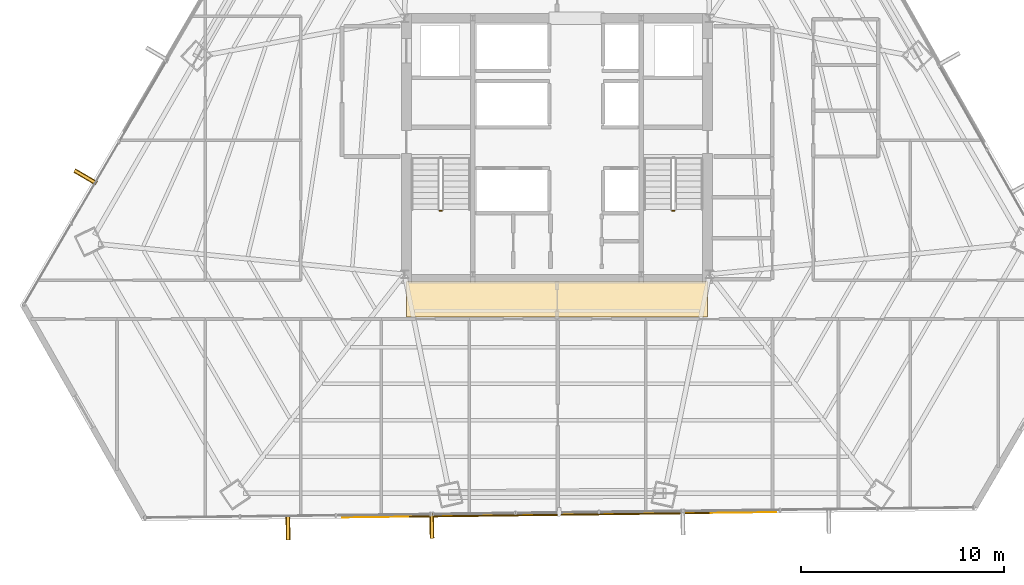
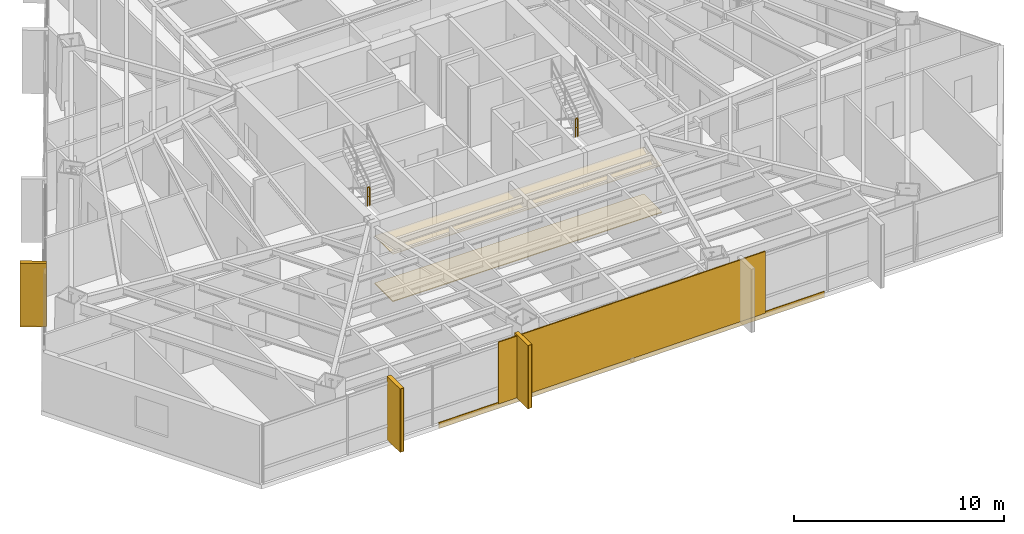
# One storey, part 35 of 37: 6 coverings, 4 shading devices, 2 railings.
"""IFC4 building model written with IfcOpenShell, lengths in metres."""

from ifc_helpers import new_model, si_unit, direction, frame, origin, origin_2d, place, context, subcontext, project, spatial, polyline, rectangle, outline, extrude, source, transform, mapped, material, layer, layer_set, type_object, type_shapes, element, save


model = new_model("IFC4")

# Units and contexts
model_context = context("Model", 3, precision=1e-05, world=origin(), true_north=direction((0.0, 1.0)))
body_context = subcontext(model_context, "Body", "Model", "MODEL_VIEW")
ifc_project = project(units=[si_unit("LENGTHUNIT", "METRE"), si_unit("AREAUNIT", "SQUARE_METRE"), si_unit("VOLUMEUNIT", "CUBIC_METRE"), si_unit("PLANEANGLEUNIT", "RADIAN"), si_unit("MASSUNIT", "GRAM", prefix="KILO")], contexts=[model_context])

# Site, building, storey
site_placement = place(None, origin())
site = spatial("IfcSite", under=ifc_project, at=site_placement, CompositionType="ELEMENT")
building_placement = place(site_placement, origin())
building = spatial("IfcBuilding", under=site, at=building_placement, Name="Caelisora Broadcast Tower", CompositionType="ELEMENT")
storey_placement = place(building_placement, frame((0.0, 0.0, 116.35009765625)))
storey = spatial("IfcBuildingStorey", under=building, at=storey_placement, Name="L30", CompositionType="ELEMENT", Elevation=116.35009765625)

# Coverings
ifc_material_1 = material(Name="Perforated Mineral-Fibre Acoustic Ceiling Tile", Category="gypsum")
ifc_layer_1 = layer(ifc_material_1, 0.034912109375, Name="Perforated Mineral-Fibre Acoustic Ceiling Tile")
ifc_layer_set_1 = layer_set([ifc_layer_1], Name="Perforated Mineral-Fibre Acoustic Ceiling Tile")
covering_type_1 = type_object("IfcCoveringType", Name="CE-1", PredefinedType="CEILING", material=ifc_layer_set_1)
covering_1_placement = place(storey_placement, frame((0.0, 0.0, 2.75)))
element("IfcCovering", 1, at=covering_1_placement, inside=storey, type_object=covering_type_1, Name="L30 acoustic corridor ceiling CE-1 (S)", PredefinedType="CEILING", context=body_context, shape_type="SweptSolid", body=[
    extrude(outline(polyline([(30.60009765625, 15.300048828125), (45.39990234375, 15.300048828125), (45.39990234375, 17.050048828125), (30.60009765625, 17.050048828125), (30.60009765625, 15.300048828125)])), origin(), (0.0, 0.0, 1.0), 0.034912109375),
])
ifc_material_2 = material(Name="Anti-Static Broadcast Raised Access Floor Panel", Category="steel")
ifc_layer_2 = layer(ifc_material_2, 0.044921875, Name="Anti-Static Broadcast Raised Access Floor Panel")
ifc_layer_set_2 = layer_set([ifc_layer_2], Name="Anti-Static Broadcast Raised Access Floor Panel")
covering_type_2 = type_object("IfcCoveringType", Name="FL-1", PredefinedType="FLOORING", material=ifc_layer_set_2)
covering_2_placement = place(storey_placement, origin())
element("IfcCovering", 2, at=covering_2_placement, inside=storey, type_object=covering_type_2, Name="L30 broadcast raised access floor FL-1 (S)", PredefinedType="FLOORING", context=body_context, shape_type="SweptSolid", body=[
    extrude(outline(polyline([(30.60009765625, 15.300048828125), (45.39990234375, 15.300048828125), (45.39990234375, 17.050048828125), (30.60009765625, 17.050048828125), (30.60009765625, 15.300048828125)])), origin(), (0.0, 0.0, 1.0), 0.044921875),
])

# Railings
ifc_material_3 = material(Name="Galvanised Steel Safety Guardrail", Category="steel")
ifc_layer_3 = layer(ifc_material_3, 0.048095703125, Name="Galvanised Steel Safety Guardrail")
ifc_layer_set_3 = layer_set([ifc_layer_3], Name="Galvanised Steel Safety Guardrail")
railing_type = type_object("IfcRailingType", Name="GR-1", PredefinedType="GUARDRAIL", material=ifc_layer_set_3)
for number, where, name in (
    (3, (32.219970703125, 20.530029296875, 1.824951171875), "L30 ST-1 stair guard 2"),
    (4, (43.659912109375, 20.530029296875, 1.824951171875), "L30 ST-2 stair guard 2"),
):
    element("IfcRailing", number, at=place(storey_placement, frame(where)), inside=storey, type_object=railing_type, Name=name, PredefinedType="GUARDRAIL", context=body_context, shape_type="SweptSolid", body=[
        extrude(rectangle(XDim=0.048095703125, YDim=0.048095703125, at=origin_2d()), frame((0.0, 0.0, 1.076171875), z_axis=(1.0, 0.0, 0.0), x_axis=(0.0, 1.0, 0.0)), (0.0, 0.0, 1.0), 0.1201171875),
        extrude(rectangle(XDim=0.03125, YDim=0.03125, at=origin_2d()), frame((0.0, 0.0, 0.550048828125), z_axis=(1.0, 0.0, 0.0), x_axis=(0.0, 1.0, 0.0)), (0.0, 0.0, 1.0), 0.1201171875),
        extrude(rectangle(XDim=0.0419921875, YDim=0.0419921875, at=origin_2d()), origin(), (0.0, 0.0, 1.0), 1.052001953125),
        extrude(rectangle(XDim=0.0419921875, YDim=0.0419921875, at=origin_2d()), frame((0.1201171875, 0.0, 0.0)), (0.0, 0.0, 1.0), 1.052001953125),
    ])

# Coverings
ifc_material_4 = material(Name="Kiln-Fired Terracotta Spandrel Rainscreen Cladding", Category="ceramic")
ifc_layer_4 = layer(ifc_material_4, 0.044921875, Name="Kiln-Fired Terracotta Spandrel Rainscreen Cladding")
ifc_layer_set_4 = layer_set([ifc_layer_4], Name="Kiln-Fired Terracotta Spandrel Rainscreen Cladding")
covering_type_3 = type_object("IfcCoveringType", Name="CL-1", PredefinedType="CLADDING", material=ifc_layer_set_4)
shared_shape_1 = source(origin(), body_context, "Body", "SweptSolid", [
    extrude(rectangle(XDim=0.219970703125, YDim=1.25, at=origin_2d()), origin(), (0.0, 0.0, 1.0), 3.68994140625),
])
for number, where, z_axis, x_axis, name in (
    (5, (31.8427734375, 5.040283203125, -0.02001953125), (0.0, 0.0, 1.0), (-0.999923222162, -0.012391520548, 0.0), "L30 vertical solar fin cladding #2-3"),
    (6, (24.765380859375, 4.95263671875, -0.02001953125), (0.0, 0.0, 1.0), (-0.999923222162, -0.012391520548, 0.0), "L30 vertical solar fin cladding #2-4"),
    (7, (14.80029296875, 22.191650390625, -0.02001953125), (0.0, 0.0, 1.0), (0.504527623815, 0.863395550607, 0.0), "L30 vertical solar fin cladding #3-1"),
):
    element("IfcCovering", number, at=place(storey_placement, frame(where, z_axis=z_axis, x_axis=x_axis)), inside=storey, type_object=covering_type_3, Name=name, PredefinedType="CLADDING", context=body_context, shape_type="MappedRepresentation", body=[
        mapped(shared_shape_1, transform((0.0, 0.0, 0.0), scale=1.0)),
    ])

# Shading devices
ifc_material_5 = material(Name="Extruded Terracotta Flaring Colonnade Fin", Category="ceramic")
ifc_layer_5 = layer(ifc_material_5, 0.139892578125, Name="Extruded Terracotta Flaring Colonnade Fin")
ifc_layer_set_5 = layer_set([ifc_layer_5], Name="Extruded Terracotta Flaring Colonnade Fin")
shading_device_type_1 = type_object("IfcShadingDeviceType", Name="FN-1", PredefinedType="USERDEFINED", material=ifc_layer_set_5)
shared_shape_2 = source(origin(), body_context, "Body", "SweptSolid", [
    extrude(rectangle(XDim=0.139892578125, YDim=1.25, at=origin_2d()), origin(), (0.0, 0.0, 1.0), 3.669921875),
])
type_shapes(shading_device_type_1, [shared_shape_2])
for number, where, z_axis, x_axis, name in (
    (8, (31.8427734375, 5.040283203125, -0.010009765625), (0.0, 0.0, 1.0), (-0.999923222162, -0.012391520548, 0.0), "L30 vertical terracotta fin #2-3"),
    (9, (24.765380859375, 4.95263671875, -0.010009765625), (0.0, 0.0, 1.0), (-0.999923222162, -0.012391520548, 0.0), "L30 vertical terracotta fin #2-4"),
    (10, (14.80029296875, 22.191650390625, -0.010009765625), (0.0, 0.0, 1.0), (0.504527623815, 0.863395550607, 0.0), "L30 vertical terracotta fin #3-1"),
):
    element("IfcShadingDevice", number, at=place(storey_placement, frame(where, z_axis=z_axis, x_axis=x_axis)), inside=storey, type_object=shading_device_type_1, Name=name, ObjectType="FIN", PredefinedType="USERDEFINED", context=body_context, shape_type="MappedRepresentation", body=[
        mapped(shared_shape_2, transform((0.0, 0.0, 0.0), scale=1.0)),
    ])
ifc_material_6 = material(Name="Perforated Glazed Terracotta Baguette Solar Screen", Category="ceramic")
ifc_layer_6 = layer(ifc_material_6, 0.06494140625, Name="Perforated Glazed Terracotta Baguette Solar Screen")
ifc_layer_set_6 = layer_set([ifc_layer_6], Name="Perforated Glazed Terracotta Baguette Solar Screen")
shading_device_type_2 = type_object("IfcShadingDeviceType", Name="SS-1", PredefinedType="USERDEFINED", material=ifc_layer_set_6)
shared_shape_3 = source(origin(), body_context, "Body", "SweptSolid", [
    extrude(rectangle(XDim=14.77490234375, YDim=0.06494140625, at=origin_2d()), origin(), (0.0, 0.0, 1.0), 3.590087890625),
])
type_shapes(shading_device_type_2, [shared_shape_3])
shading_device_placement = place(storey_placement, frame((38.113037109375, 5.568115234375, 0.0), z_axis=(0.0, 0.0, 1.0), x_axis=(0.999923222162, 0.012391520548, 0.0)))
element("IfcShadingDevice", 11, at=shading_device_placement, inside=storey, type_object=shading_device_type_2, Name="L30 perforated terracotta solar screen #2", ObjectType="SOLAR SCREEN", PredefinedType="USERDEFINED", context=body_context, shape_type="MappedRepresentation", body=[
    mapped(shared_shape_3, transform((0.0, 0.0, 0.0), scale=1.0)),
])

# Covering
shared_shape_4 = source(origin(), body_context, "Body", "SweptSolid", [
    extrude(rectangle(XDim=21.342041015625, YDim=0.044921875, at=origin_2d()), origin(), (0.0, 0.0, 1.0), 0.340087890625),
])
type_shapes(covering_type_3, [shared_shape_1, shared_shape_4])
covering_3_placement = place(storey_placement, frame((38.11279296875, 5.587890625, -0.27001953125), z_axis=(0.0, 0.0, 1.0), x_axis=(0.999923222162, 0.012391520548, 0.0)))
element("IfcCovering", 12, at=covering_3_placement, inside=storey, type_object=covering_type_3, Name="L30 terracotta spandrel rainscreen #2", PredefinedType="CLADDING", context=body_context, shape_type="MappedRepresentation", body=[
    mapped(shared_shape_4, transform((0.0, 0.0, 0.0), scale=1.0)),
])

save(model, "model.ifc")
